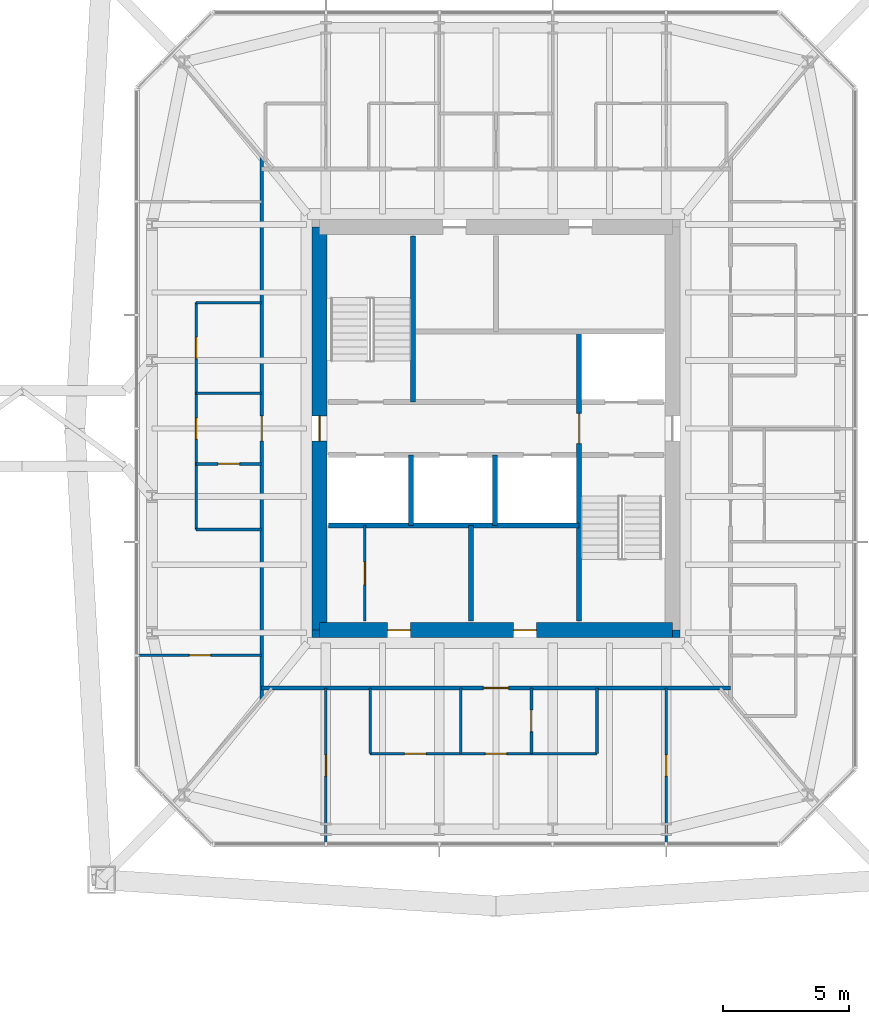
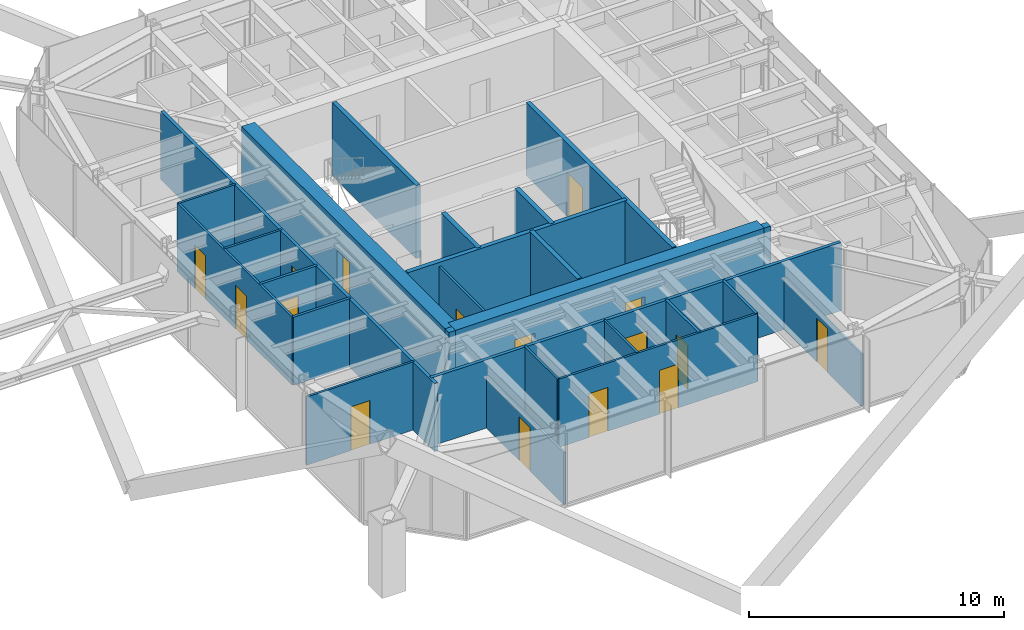
# One storey, part 19 of 27: 26 walls, 16 doors, 16 openings.
"""IFC4 building model written with IfcOpenShell, lengths in metres."""

from ifc_helpers import new_model, si_unit, direction, frame, frame_2d, origin, place, context, subcontext, project, spatial, rectangle, extrude, material, layer, layer_set, type_object, element, fill, save


model = new_model("IFC4")

# Units and contexts
model_context = context("Model", 3, precision=1e-05, world=origin(), true_north=direction((0.0, 1.0)))
body_context = subcontext(model_context, "Body", "Model", "MODEL_VIEW")
ifc_project = project(units=[si_unit("LENGTHUNIT", "METRE"), si_unit("AREAUNIT", "SQUARE_METRE"), si_unit("VOLUMEUNIT", "CUBIC_METRE"), si_unit("PLANEANGLEUNIT", "RADIAN"), si_unit("MASSUNIT", "GRAM", prefix="KILO")], contexts=[model_context])

# Site, building, storey
site_placement = place(None, origin())
site = spatial("IfcSite", under=ifc_project, at=site_placement, CompositionType="ELEMENT")
building_placement = place(site_placement, origin())
building = spatial("IfcBuilding", under=site, at=building_placement, Name="Iwan Alto Co-Living Towers", CompositionType="ELEMENT")
storey_placement = place(building_placement, frame((0.0, 0.0, 94.5)))
storey = spatial("IfcBuildingStorey", under=building, at=storey_placement, Name="L25", CompositionType="ELEMENT", Elevation=94.5)

# Wall, opening, door
ifc_material_1 = material(Name="Gypsum board")
ifc_layer_1 = layer(ifc_material_1, 0.02490234375, Name="Board", Category="Finish")
ifc_material_2 = material(Name="Steel ASTM A1003 ST33H cold-formed studs", Category="steel")
ifc_layer_2 = layer(ifc_material_2, 0.10009765625, Name="Studs", Category="Framing")
ifc_layer_3 = layer(ifc_material_1, 0.02490234375, Name="Board", Category="Finish")
ifc_layer_set_1 = layer_set([ifc_layer_1, ifc_layer_2, ifc_layer_3], Name="CORRIDOR WALL 150")
wall_type_1 = type_object("IfcWallType", Name="CORRIDOR WALL 150", PredefinedType="PARTITIONING", material=ifc_layer_set_1)
wall_1_placement = place(storey_placement, frame((53.699951171875, -10.300048828125, 0.0), z_axis=(0.0, 0.0, 1.0), x_axis=(1.0, 0.0, 0.0)))
wall_1 = element("IfcWall", 1, at=wall_1_placement, inside=storey, type_object=wall_type_1, Name="Partition L25", PredefinedType="PARTITIONING", context=body_context, shape_type="SweptSolid", body=[
    extrude(rectangle(XDim=18.60009765625, YDim=0.14990234375, at=frame_2d((9.300048828125, 0.0))), origin(), (0.0, 0.0, 1.0), 3.27001953125),
])
opening_1_placement = place(wall_1_placement, frame((8.800048828125, 0.0, 0.0)))
opening_1 = element("IfcOpeningElement", 2, at=opening_1_placement, cuts=wall_1, Name="Opening D3", PredefinedType="OPENING", context=body_context, shape_type="SweptSolid", body=[
    extrude(rectangle(XDim=1.0, YDim=2.10009765625, at=frame_2d((0.5, 1.050048828125))), frame((0.0, 0.0849609375, 0.0), z_axis=(0.0, -1.0, 0.0), x_axis=(1.0, 0.0, 0.0)), (0.0, 0.0, 1.0), 0.169921875),
])
ifc_material_3 = material(Name="Steel frame with timber leaf", Category="steel")
door_type_1 = type_object("IfcDoorType", Name="FLAT ENTRANCE DOOR FD30S 1000X2100", OperationType="SINGLE_SWING_LEFT", PredefinedType="DOOR", material=ifc_material_3)
door_1_placement = place(opening_1_placement, frame((1.0, 0.0, 0.0), z_axis=(0.0, 0.0, 1.0), x_axis=(-1.0, 0.0, 0.0)))
door_1 = element("IfcDoor", 3, at=door_1_placement, inside=storey, type_object=door_type_1, Name="Apartment foyer door L25", OperationType="SINGLE_SWING_RIGHT", OverallHeight=2.10009765625, OverallWidth=1.0, PredefinedType="DOOR", context=body_context, shape_type="SweptSolid", body=[
    extrude(rectangle(XDim=1.0, YDim=2.10009765625, at=frame_2d((0.5, 1.050048828125))), frame((0.0, 0.02490234375, 0.0), z_axis=(0.0, -1.0, 0.0), x_axis=(1.0, 0.0, 0.0)), (0.0, 0.0, 1.0), 0.050048828125),
])
fill(opening_1, door_1)

wall_2_placement = place(storey_placement, frame((53.699951171875, -10.76806640625, 0.0), z_axis=(0.0, 0.0, 1.0), x_axis=(0.0, 1.0, 0.0)))
wall_2 = element("IfcWall", 4, at=wall_2_placement, inside=storey, type_object=wall_type_1, Name="Partition L25", PredefinedType="PARTITIONING", context=body_context, shape_type="SweptSolid", body=[
    extrude(rectangle(XDim=21.5361328125, YDim=0.14990234375, at=frame_2d((10.76806640625, 0.0))), origin(), (0.0, 0.0, 1.0), 3.27001953125),
])
opening_2_placement = place(wall_2_placement, frame((10.26806640625, 0.0, 0.0)))
opening_2 = element("IfcOpeningElement", 5, at=opening_2_placement, cuts=wall_2, Name="Opening D3", PredefinedType="OPENING", context=body_context, shape_type="SweptSolid", body=[
    extrude(rectangle(XDim=1.0, YDim=2.10009765625, at=frame_2d((0.5, 1.050048828125))), frame((0.0, 0.0849609375, 0.0), z_axis=(0.0, -1.0, 0.0), x_axis=(1.0, 0.0, 0.0)), (0.0, 0.0, 1.0), 0.169921875),
])
door_2_placement = place(opening_2_placement, origin())
door_2 = element("IfcDoor", 6, at=door_2_placement, inside=storey, type_object=door_type_1, Name="Apartment foyer door L25", OperationType="SINGLE_SWING_LEFT", OverallHeight=2.10009765625, OverallWidth=1.0, PredefinedType="DOOR", context=body_context, shape_type="SweptSolid", body=[
    extrude(rectangle(XDim=1.0, YDim=2.10009765625, at=frame_2d((0.5, 1.050048828125))), frame((0.0, 0.02490234375, 0.0), z_axis=(0.0, -1.0, 0.0), x_axis=(1.0, 0.0, 0.0)), (0.0, 0.0, 1.0), 0.050048828125),
])
fill(opening_2, door_2)

# Wall, openings, doors
ifc_layer_4 = layer(ifc_material_1, 0.012451171875, Name="Board", Category="Finish")
ifc_layer_5 = layer(ifc_material_2, 0.074951171875, Name="Studs", Category="Framing")
ifc_layer_6 = layer(ifc_material_1, 0.012451171875, Name="Board", Category="Finish")
ifc_layer_set_2 = layer_set([ifc_layer_4, ifc_layer_5, ifc_layer_6], Name="PARTITION 100")
wall_type_2 = type_object("IfcWallType", Name="PARTITION 100", PredefinedType="PARTITIONING", material=ifc_layer_set_2)
wall_3_placement = place(storey_placement, frame((58.0, -12.89990234375, 0.0), z_axis=(0.0, 0.0, 1.0), x_axis=(1.0, 0.0, 0.0)))
wall_3 = element("IfcWall", 7, at=wall_3_placement, inside=storey, type_object=wall_type_2, Name="Partition L25", PredefinedType="PARTITIONING", context=body_context, shape_type="SweptSolid", body=[
    extrude(rectangle(XDim=9.0, YDim=0.10009765625, at=frame_2d((4.5, 0.0))), origin(), (0.0, 0.0, 1.0), 3.27001953125),
])
opening_3_placement = place(wall_3_placement, frame((1.375, 0.0, 0.0)))
opening_3 = element("IfcOpeningElement", 8, at=opening_3_placement, cuts=wall_3, Name="Opening D2", PredefinedType="OPENING", context=body_context, shape_type="SweptSolid", body=[
    extrude(rectangle(XDim=0.85009765625, YDim=2.10009765625, at=frame_2d((0.425048828125, 1.050048828125))), frame((0.0, 0.06005859375, 0.0), z_axis=(0.0, -1.0, 0.0), x_axis=(1.0, 0.0, 0.0)), (0.0, 0.0, 1.0), 0.1201171875),
])
opening_4_placement = place(wall_3_placement, frame((4.574951171875, 0.0, 0.0)))
opening_4 = element("IfcOpeningElement", 9, at=opening_4_placement, cuts=wall_3, Name="Opening D2", PredefinedType="OPENING", context=body_context, shape_type="SweptSolid", body=[
    extrude(rectangle(XDim=0.85009765625, YDim=2.10009765625, at=frame_2d((0.425048828125, 1.050048828125))), frame((0.0, 0.06005859375, 0.0), z_axis=(0.0, -1.0, 0.0), x_axis=(1.0, 0.0, 0.0)), (0.0, 0.0, 1.0), 0.1201171875),
])
ifc_material_4 = material(Name="Timber leaf in steel frame", Category="steel")
door_type_2 = type_object("IfcDoorType", Name="ROOM DOOR 850X2100", OperationType="SINGLE_SWING_LEFT", PredefinedType="DOOR", material=ifc_material_4)
door_3_placement = place(opening_3_placement, frame((0.85009765625, 0.0, 0.0), z_axis=(0.0, 0.0, 1.0), x_axis=(-1.0, 0.0, 0.0)))
door_3 = element("IfcDoor", 10, at=door_3_placement, inside=storey, type_object=door_type_2, Name="Kitchen door L25", OperationType="SINGLE_SWING_RIGHT", OverallHeight=2.10009765625, OverallWidth=0.85009765625, PredefinedType="DOOR", context=body_context, shape_type="SweptSolid", body=[
    extrude(rectangle(XDim=0.85009765625, YDim=2.10009765625, at=frame_2d((0.425048828125, 1.050048828125))), frame((0.0, 0.02490234375, 0.0), z_axis=(0.0, -1.0, 0.0), x_axis=(1.0, 0.0, 0.0)), (0.0, 0.0, 1.0), 0.050048828125),
])
fill(opening_3, door_3)
door_4_placement = place(opening_4_placement, frame((0.85009765625, 0.0, 0.0), z_axis=(0.0, 0.0, 1.0), x_axis=(-1.0, 0.0, 0.0)))
door_4 = element("IfcDoor", 11, at=door_4_placement, inside=storey, type_object=door_type_2, Name="Apartment foyer door L25", OperationType="SINGLE_SWING_RIGHT", OverallHeight=2.10009765625, OverallWidth=0.85009765625, PredefinedType="DOOR", context=body_context, shape_type="SweptSolid", body=[
    extrude(rectangle(XDim=0.85009765625, YDim=2.10009765625, at=frame_2d((0.425048828125, 1.050048828125))), frame((0.0, 0.02490234375, 0.0), z_axis=(0.0, -1.0, 0.0), x_axis=(1.0, 0.0, 0.0)), (0.0, 0.0, 1.0), 0.050048828125),
])
fill(opening_4, door_4)

# Wall, opening, door
wall_4_placement = place(storey_placement, frame((48.81005859375, -9.0, 0.0), z_axis=(0.0, 0.0, 1.0), x_axis=(1.0, 0.0, 0.0)))
wall_4 = element("IfcWall", 12, at=wall_4_placement, inside=storey, type_object=wall_type_2, Name="Partition L25", PredefinedType="PARTITIONING", context=body_context, shape_type="SweptSolid", body=[
    extrude(rectangle(XDim=4.889892578125, YDim=0.10009765625, at=frame_2d((2.44482421875, 0.0))), origin(), (0.0, 0.0, 1.0), 3.27001953125),
])
opening_5_placement = place(wall_4_placement, frame((2.02001953125, 0.0, 0.0)))
opening_5 = element("IfcOpeningElement", 13, at=opening_5_placement, cuts=wall_4, Name="Opening D2", PredefinedType="OPENING", context=body_context, shape_type="SweptSolid", body=[
    extrude(rectangle(XDim=0.85009765625, YDim=2.10009765625, at=frame_2d((0.425048828125, 1.050048828125))), frame((0.0, 0.06005859375, 0.0), z_axis=(0.0, -1.0, 0.0), x_axis=(1.0, 0.0, 0.0)), (0.0, 0.0, 1.0), 0.1201171875),
])
door_5_placement = place(opening_5_placement, origin())
door_5 = element("IfcDoor", 14, at=door_5_placement, inside=storey, type_object=door_type_2, Name="Bedroom door L25", OperationType="SINGLE_SWING_RIGHT", OverallHeight=2.10009765625, OverallWidth=0.85009765625, PredefinedType="DOOR", context=body_context, shape_type="SweptSolid", body=[
    extrude(rectangle(XDim=0.85009765625, YDim=2.10009765625, at=frame_2d((0.425048828125, 1.050048828125))), frame((0.0, 0.02490234375, 0.0), z_axis=(0.0, -1.0, 0.0), x_axis=(1.0, 0.0, 0.0)), (0.0, 0.0, 1.0), 0.050048828125),
])
fill(opening_5, door_5)

# Walls
for number, where, z_axis, x_axis, name in (
    (15, (51.10009765625, 1.39990234375, 0.0), (0.0, 0.0, 1.0), (1.0, 0.0, 0.0), "Partition L25"),
    (16, (51.10009765625, 5.0, 0.0), (0.0, 0.0, 1.0), (1.0, 0.0, 0.0), "Partition L25"),
):
    element("IfcWall", number, at=place(storey_placement, frame(where, z_axis=z_axis, x_axis=x_axis)), inside=storey, type_object=wall_type_2, Name=name, PredefinedType="PARTITIONING", context=body_context, shape_type="SweptSolid", body=[
        extrude(rectangle(XDim=2.599853515625, YDim=0.10009765625, at=frame_2d((1.2998046875, 0.0))), origin(), (0.0, 0.0, 1.0), 3.27001953125),
    ])

# Wall, opening, door
wall_5_placement = place(storey_placement, frame((69.75, -16.43994140625, 0.0), z_axis=(0.0, 0.0, 1.0), x_axis=(0.0, 1.0, 0.0)))
wall_5 = element("IfcWall", 17, at=wall_5_placement, inside=storey, type_object=wall_type_2, Name="Partition L25", PredefinedType="PARTITIONING", context=body_context, shape_type="SweptSolid", body=[
    extrude(rectangle(XDim=6.139892578125, YDim=0.10009765625, at=frame_2d((3.06982421875, 0.0))), origin(), (0.0, 0.0, 1.0), 2.497802734375),
])
opening_6_placement = place(wall_5_placement, frame((2.64501953125, 0.0, 0.0)))
opening_6 = element("IfcOpeningElement", 18, at=opening_6_placement, cuts=wall_5, Name="Opening D2", PredefinedType="OPENING", context=body_context, shape_type="SweptSolid", body=[
    extrude(rectangle(XDim=0.85009765625, YDim=2.10009765625, at=frame_2d((0.425048828125, 1.050048828125))), frame((0.0, 0.06005859375, 0.0), z_axis=(0.0, -1.0, 0.0), x_axis=(1.0, 0.0, 0.0)), (0.0, 0.0, 1.0), 0.1201171875),
])
door_6_placement = place(opening_6_placement, origin())
door_6 = element("IfcDoor", 19, at=door_6_placement, inside=storey, type_object=door_type_2, Name="Bedroom door L25", OperationType="SINGLE_SWING_RIGHT", OverallHeight=2.10009765625, OverallWidth=0.85009765625, PredefinedType="DOOR", context=body_context, shape_type="SweptSolid", body=[
    extrude(rectangle(XDim=0.85009765625, YDim=2.10009765625, at=frame_2d((0.425048828125, 1.050048828125))), frame((0.0, 0.02490234375, 0.0), z_axis=(0.0, -1.0, 0.0), x_axis=(1.0, 0.0, 0.0)), (0.0, 0.0, 1.0), 0.050048828125),
])
fill(opening_6, door_6)

# Walls
for number, where, z_axis, x_axis, name in (
    (20, (61.60009765625, -12.89990234375, 0.0), (0.0, 0.0, 1.0), (0.0, 1.0, 0.0), "Partition L25"),
    (21, (58.0, -12.89990234375, 0.0), (0.0, 0.0, 1.0), (0.0, 1.0, 0.0), "Partition L25"),
):
    element("IfcWall", number, at=place(storey_placement, frame(where, z_axis=z_axis, x_axis=x_axis)), inside=storey, type_object=wall_type_2, Name=name, PredefinedType="PARTITIONING", context=body_context, shape_type="SweptSolid", body=[
        extrude(rectangle(XDim=2.599853515625, YDim=0.10009765625, at=frame_2d((1.2998046875, 0.0))), origin(), (0.0, 0.0, 1.0), 3.27001953125),
    ])

# Wall, opening, door
wall_6_placement = place(storey_placement, frame((57.800048828125, -7.639892578125, 0.0), z_axis=(0.0, 0.0, 1.0), x_axis=(0.0, 1.0, 0.0)))
wall_6 = element("IfcWall", 22, at=wall_6_placement, inside=storey, type_object=wall_type_2, Name="Partition L25", PredefinedType="PARTITIONING", context=body_context, shape_type="SweptSolid", body=[
    extrude(rectangle(XDim=3.789794921875, YDim=0.10009765625, at=frame_2d((1.89501953125, 0.0))), origin(), (0.0, 0.0, 1.0), 3.300048828125),
])
opening_7_placement = place(wall_6_placement, frame((1.445068359375, 0.0, 0.0)))
opening_7 = element("IfcOpeningElement", 23, at=opening_7_placement, cuts=wall_6, Name="Opening D16", PredefinedType="OPENING", context=body_context, shape_type="SweptSolid", body=[
    extrude(rectangle(XDim=0.89990234375, YDim=2.10009765625, at=frame_2d((0.449951171875, 1.050048828125))), frame((0.0, 0.06005859375, 0.0), z_axis=(0.0, -1.0, 0.0), x_axis=(1.0, 0.0, 0.0)), (0.0, 0.0, 1.0), 0.1201171875),
])
ifc_material_5 = material(Name="Timber leaf in steel frame", Category="steel")
door_type_3 = type_object("IfcDoorType", Name="CUPBOARD SLIDING DOOR 900X2100", OperationType="SLIDING_TO_LEFT", PredefinedType="DOOR", material=ifc_material_5)
door_7_placement = place(opening_7_placement, origin())
door_7 = element("IfcDoor", 24, at=door_7_placement, inside=storey, type_object=door_type_3, Name="Bin store door L25", OperationType="SLIDING_TO_LEFT", OverallHeight=2.10009765625, OverallWidth=0.89990234375, PredefinedType="DOOR", context=body_context, shape_type="SweptSolid", body=[
    extrude(rectangle(XDim=0.89990234375, YDim=2.10009765625, at=frame_2d((0.449951171875, 1.050048828125))), frame((0.0, 0.02490234375, 0.0), z_axis=(0.0, -1.0, 0.0), x_axis=(1.0, 0.0, 0.0)), (0.0, 0.0, 1.0), 0.050048828125),
])
fill(opening_7, door_7)

wall_7_placement = place(storey_placement, frame((56.25, -16.43994140625, 0.0), z_axis=(0.0, 0.0, 1.0), x_axis=(0.0, 1.0, 0.0)))
wall_7 = element("IfcWall", 25, at=wall_7_placement, inside=storey, type_object=wall_type_2, Name="Partition L25", PredefinedType="PARTITIONING", context=body_context, shape_type="SweptSolid", body=[
    extrude(rectangle(XDim=6.139892578125, YDim=0.10009765625, at=frame_2d((3.06982421875, 0.0))), origin(), (0.0, 0.0, 1.0), 2.497802734375),
])
opening_8_placement = place(wall_7_placement, frame((2.64501953125, 0.0, 0.0)))
opening_8 = element("IfcOpeningElement", 26, at=opening_8_placement, cuts=wall_7, Name="Opening D2", PredefinedType="OPENING", context=body_context, shape_type="SweptSolid", body=[
    extrude(rectangle(XDim=0.85009765625, YDim=2.10009765625, at=frame_2d((0.425048828125, 1.050048828125))), frame((0.0, 0.06005859375, 0.0), z_axis=(0.0, -1.0, 0.0), x_axis=(1.0, 0.0, 0.0)), (0.0, 0.0, 1.0), 0.1201171875),
])
door_8_placement = place(opening_8_placement, frame((0.85009765625, 0.0, 0.0), z_axis=(0.0, 0.0, 1.0), x_axis=(-1.0, 0.0, 0.0)))
door_8 = element("IfcDoor", 27, at=door_8_placement, inside=storey, type_object=door_type_2, Name="Bedroom door L25", OperationType="SINGLE_SWING_LEFT", OverallHeight=2.10009765625, OverallWidth=0.85009765625, PredefinedType="DOOR", context=body_context, shape_type="SweptSolid", body=[
    extrude(rectangle(XDim=0.85009765625, YDim=2.10009765625, at=frame_2d((0.425048828125, 1.050048828125))), frame((0.0, 0.02490234375, 0.0), z_axis=(0.0, -1.0, 0.0), x_axis=(1.0, 0.0, 0.0)), (0.0, 0.0, 1.0), 0.050048828125),
])
fill(opening_8, door_8)

# Wall, openings, doors
wall_8_placement = place(storey_placement, frame((51.10009765625, -4.0, 0.0), z_axis=(0.0, 0.0, 1.0), x_axis=(0.0, 1.0, 0.0)))
wall_8 = element("IfcWall", 28, at=wall_8_placement, inside=storey, type_object=wall_type_2, Name="Partition L25", PredefinedType="PARTITIONING", context=body_context, shape_type="SweptSolid", body=[
    extrude(rectangle(XDim=9.0, YDim=0.10009765625, at=frame_2d((4.5, 0.0))), origin(), (0.0, 0.0, 1.0), 3.27001953125),
])
opening_9_placement = place(wall_8_placement, frame((6.77490234375, 0.0, 0.0)))
opening_9 = element("IfcOpeningElement", 29, at=opening_9_placement, cuts=wall_8, Name="Opening D2", PredefinedType="OPENING", context=body_context, shape_type="SweptSolid", body=[
    extrude(rectangle(XDim=0.85009765625, YDim=2.10009765625, at=frame_2d((0.425048828125, 1.050048828125))), frame((0.0, 0.06005859375, 0.0), z_axis=(0.0, -1.0, 0.0), x_axis=(1.0, 0.0, 0.0)), (0.0, 0.0, 1.0), 0.1201171875),
])
opening_10_placement = place(wall_8_placement, frame((3.574951171875, 0.0, 0.0)))
opening_10 = element("IfcOpeningElement", 30, at=opening_10_placement, cuts=wall_8, Name="Opening D2", PredefinedType="OPENING", context=body_context, shape_type="SweptSolid", body=[
    extrude(rectangle(XDim=0.85009765625, YDim=2.10009765625, at=frame_2d((0.425048828125, 1.050048828125))), frame((0.0, 0.06005859375, 0.0), z_axis=(0.0, -1.0, 0.0), x_axis=(1.0, 0.0, 0.0)), (0.0, 0.0, 1.0), 0.1201171875),
])
door_9_placement = place(opening_9_placement, origin())
door_9 = element("IfcDoor", 31, at=door_9_placement, inside=storey, type_object=door_type_2, Name="Kitchen door L25", OperationType="SINGLE_SWING_RIGHT", OverallHeight=2.10009765625, OverallWidth=0.85009765625, PredefinedType="DOOR", context=body_context, shape_type="SweptSolid", body=[
    extrude(rectangle(XDim=0.85009765625, YDim=2.10009765625, at=frame_2d((0.425048828125, 1.050048828125))), frame((0.0, 0.02490234375, 0.0), z_axis=(0.0, -1.0, 0.0), x_axis=(1.0, 0.0, 0.0)), (0.0, 0.0, 1.0), 0.050048828125),
])
fill(opening_9, door_9)
door_10_placement = place(opening_10_placement, origin())
door_10 = element("IfcDoor", 32, at=door_10_placement, inside=storey, type_object=door_type_2, Name="Apartment foyer door L25", OperationType="SINGLE_SWING_LEFT", OverallHeight=2.10009765625, OverallWidth=0.85009765625, PredefinedType="DOOR", context=body_context, shape_type="SweptSolid", body=[
    extrude(rectangle(XDim=0.85009765625, YDim=2.10009765625, at=frame_2d((0.425048828125, 1.050048828125))), frame((0.0, 0.02490234375, 0.0), z_axis=(0.0, -1.0, 0.0), x_axis=(1.0, 0.0, 0.0)), (0.0, 0.0, 1.0), 0.050048828125),
])
fill(opening_10, door_10)

# Wall
ifc_material_6 = material(Name="Concrete f'c 70 MPa", Category="concrete")
ifc_layer_7 = layer(ifc_material_6, 0.199951171875)
ifc_layer_set_3 = layer_set([ifc_layer_7], Name="SHAFT WALL 200")
wall_type_3 = type_object("IfcWallType", Name="SHAFT WALL 200", PredefinedType="SOLIDWALL", material=ifc_layer_set_3)
wall_9_placement = place(storey_placement, frame((56.360107421875, -3.85009765625, 0.0), z_axis=(0.0, 0.0, 1.0), x_axis=(1.0, 0.0, 0.0)))
element("IfcWall", 33, at=wall_9_placement, inside=storey, type_object=wall_type_3, Name="Shaft wall L25", PredefinedType="SOLIDWALL", context=body_context, shape_type="SweptSolid", body=[
    extrude(rectangle(XDim=9.93994140625, YDim=0.199951171875, at=frame_2d((4.969970703125, 0.0))), origin(), (0.0, 0.0, 1.0), 3.5),
])

# Wall, opening, door
wall_10_placement = place(storey_placement, frame((66.300048828125, -7.639892578125, 0.0), z_axis=(0.0, 0.0, 1.0), x_axis=(0.0, 1.0, 0.0)))
wall_10 = element("IfcWall", 34, at=wall_10_placement, inside=storey, type_object=wall_type_3, Name="Shaft wall L25", PredefinedType="SOLIDWALL", context=body_context, shape_type="SweptSolid", body=[
    extrude(rectangle(XDim=11.489990234375, YDim=0.199951171875, at=frame_2d((5.7451171875, 0.0))), origin(), (0.0, 0.0, 1.0), 3.5),
])
opening_11_placement = place(wall_10_placement, frame((7.0400390625, 0.0, 0.0)))
opening_11 = element("IfcOpeningElement", 35, at=opening_11_placement, cuts=wall_10, Name="Opening D6", PredefinedType="OPENING", context=body_context, shape_type="SweptSolid", body=[
    extrude(rectangle(XDim=1.199951171875, YDim=2.10009765625, at=frame_2d((0.60009765625, 1.050048828125))), frame((0.0, 0.10986328125, 0.0), z_axis=(0.0, -1.0, 0.0), x_axis=(1.0, 0.0, 0.0)), (0.0, 0.0, 1.0), 0.219970703125),
])
ifc_material_7 = material(Name="Steel frame with timber leaf", Category="steel")
door_type_4 = type_object("IfcDoorType", Name="LOBBY DOOR FD120S 1200X2100", OperationType="SINGLE_SWING_LEFT", PredefinedType="DOOR", material=ifc_material_7)
door_11_placement = place(opening_11_placement, frame((1.199951171875, 0.0, 0.0), z_axis=(0.0, 0.0, 1.0), x_axis=(-1.0, 0.0, 0.0)))
door_11 = element("IfcDoor", 36, at=door_11_placement, inside=storey, type_object=door_type_4, Name="Firefighting lobby door L25", OperationType="SINGLE_SWING_RIGHT", OverallHeight=2.10009765625, OverallWidth=1.199951171875, PredefinedType="DOOR", context=body_context, shape_type="SweptSolid", body=[
    extrude(rectangle(XDim=1.199951171875, YDim=2.10009765625, at=frame_2d((0.60009765625, 1.050048828125))), frame((0.0, 0.02490234375, 0.0), z_axis=(0.0, -1.0, 0.0), x_axis=(1.0, 0.0, 0.0)), (0.0, 0.0, 1.0), 0.050048828125),
])
fill(opening_11, door_11)

# Walls
wall_11_placement = place(storey_placement, frame((62.967041015625, -3.85009765625, 0.0), z_axis=(0.0, 0.0, 1.0), x_axis=(0.0, 1.0, 0.0)))
element("IfcWall", 37, at=wall_11_placement, inside=storey, type_object=wall_type_3, Name="Shaft wall L25", PredefinedType="SOLIDWALL", context=body_context, shape_type="SweptSolid", body=[
    extrude(rectangle(XDim=2.800048828125, YDim=0.199951171875, at=frame_2d((1.39990234375, 0.0))), origin(), (0.0, 0.0, 1.0), 3.5),
])
wall_12_placement = place(storey_placement, frame((62.0, -7.639892578125, 0.0), z_axis=(0.0, 0.0, 1.0), x_axis=(0.0, 1.0, 0.0)))
element("IfcWall", 38, at=wall_12_placement, inside=storey, type_object=wall_type_3, Name="Shaft wall L25", PredefinedType="SOLIDWALL", context=body_context, shape_type="SweptSolid", body=[
    extrude(rectangle(XDim=3.789794921875, YDim=0.199951171875, at=frame_2d((1.89501953125, 0.0))), origin(), (0.0, 0.0, 1.0), 3.5),
])
wall_13_placement = place(storey_placement, frame((59.699951171875, 1.050048828125, 0.0), z_axis=(0.0, 0.0, 1.0), x_axis=(0.0, 1.0, 0.0)))
element("IfcWall", 39, at=wall_13_placement, inside=storey, type_object=wall_type_3, Name="Shaft wall L25", PredefinedType="SOLIDWALL", context=body_context, shape_type="SweptSolid", body=[
    extrude(rectangle(XDim=6.58984375, YDim=0.199951171875, at=frame_2d((3.294921875, 0.0))), origin(), (0.0, 0.0, 1.0), 3.5),
])
wall_14_placement = place(storey_placement, frame((59.633056640625, -3.85009765625, 0.0), z_axis=(0.0, 0.0, 1.0), x_axis=(0.0, 1.0, 0.0)))
element("IfcWall", 40, at=wall_14_placement, inside=storey, type_object=wall_type_3, Name="Shaft wall L25", PredefinedType="SOLIDWALL", context=body_context, shape_type="SweptSolid", body=[
    extrude(rectangle(XDim=2.800048828125, YDim=0.199951171875, at=frame_2d((1.39990234375, 0.0))), origin(), (0.0, 0.0, 1.0), 3.5),
])
ifc_material_8 = material(Name="Concrete f'c 70 MPa", Category="concrete")
ifc_layer_8 = layer(ifc_material_8, 0.300048828125)
ifc_layer_set_4 = layer_set([ifc_layer_8], Name="T2 CORE CORNER FILL 300")
wall_type_4 = type_object("IfcWallType", Name="T2 CORE CORNER FILL 300", PredefinedType="SOLIDWALL", material=ifc_layer_set_4)
for number, where, z_axis, x_axis, name in (
    (41, (55.699951171875, -8.14990234375, 0.0), (0.0, 0.0, 1.0), (1.0, 0.0, 0.0), "T2 core corner SW L25"),
    (42, (70.0, -8.14990234375, 0.0), (0.0, 0.0, 1.0), (1.0, 0.0, 0.0), "T2 core corner SE L25"),
):
    element("IfcWall", number, at=place(storey_placement, frame(where, z_axis=z_axis, x_axis=x_axis)), inside=storey, type_object=wall_type_4, Name=name, PredefinedType="SOLIDWALL", context=body_context, shape_type="SweptSolid", body=[
        extrude(rectangle(XDim=0.300048828125, YDim=0.300048828125, at=frame_2d((0.14990234375, 0.0))), origin(), (0.0, 0.0, 1.0), 3.5),
    ])

# Wall, openings, doors
ifc_material_9 = material(Name="Concrete f'c 70 MPa", Category="concrete")
ifc_layer_9 = layer(ifc_material_9, 0.60009765625)
ifc_layer_set_5 = layer_set([ifc_layer_9], Name="T2 CORE WALL 600")
wall_type_5 = type_object("IfcWallType", Name="T2 CORE WALL 600", PredefinedType="SHEAR", material=ifc_layer_set_5)
wall_15_placement = place(storey_placement, frame((56.0, -8.0, 0.0), z_axis=(0.0, 0.0, 1.0), x_axis=(1.0, 0.0, 0.0)))
wall_15 = element("IfcWall", 43, at=wall_15_placement, inside=storey, type_object=wall_type_5, Name="T2 core wall S L25", PredefinedType="SHEAR", context=body_context, shape_type="SweptSolid", body=[
    extrude(rectangle(XDim=14.0, YDim=0.60009765625, at=frame_2d((7.0, 0.0))), origin(), (0.0, 0.0, 1.0), 3.5),
])
opening_12_placement = place(wall_15_placement, frame((2.699951171875, 0.0, 0.0)))
opening_12 = element("IfcOpeningElement", 44, at=opening_12_placement, cuts=wall_15, Name="Opening D8", PredefinedType="OPENING", context=body_context, shape_type="SweptSolid", body=[
    extrude(rectangle(XDim=0.89990234375, YDim=2.10009765625, at=frame_2d((0.449951171875, 1.050048828125))), frame((0.0, 0.31005859375, 0.0), z_axis=(0.0, -1.0, 0.0), x_axis=(1.0, 0.0, 0.0)), (0.0, 0.0, 1.0), 0.6201171875),
])
opening_13_placement = place(wall_15_placement, frame((7.699951171875, 0.0, 0.0)))
opening_13 = element("IfcOpeningElement", 45, at=opening_13_placement, cuts=wall_15, Name="Opening D8", PredefinedType="OPENING", context=body_context, shape_type="SweptSolid", body=[
    extrude(rectangle(XDim=0.89990234375, YDim=2.10009765625, at=frame_2d((0.449951171875, 1.050048828125))), frame((0.0, 0.31005859375, 0.0), z_axis=(0.0, -1.0, 0.0), x_axis=(1.0, 0.0, 0.0)), (0.0, 0.0, 1.0), 0.6201171875),
])
ifc_material_10 = material(Name="Steel frame with timber leaf", Category="steel")
door_type_5 = type_object("IfcDoorType", Name="RISER DOOR FD120 900X2100", OperationType="SINGLE_SWING_LEFT", PredefinedType="DOOR", material=ifc_material_10)
door_12_placement = place(opening_12_placement, origin())
door_12 = element("IfcDoor", 46, at=door_12_placement, inside=storey, type_object=door_type_5, Name="Refuse room core door L25", OperationType="SINGLE_SWING_LEFT", OverallHeight=2.10009765625, OverallWidth=0.89990234375, PredefinedType="DOOR", context=body_context, shape_type="SweptSolid", body=[
    extrude(rectangle(XDim=0.89990234375, YDim=2.10009765625, at=frame_2d((0.449951171875, 1.050048828125))), frame((0.0, 0.02490234375, 0.0), z_axis=(0.0, -1.0, 0.0), x_axis=(1.0, 0.0, 0.0)), (0.0, 0.0, 1.0), 0.050048828125),
])
fill(opening_12, door_12)
door_13_placement = place(opening_13_placement, origin())
door_13 = element("IfcDoor", 47, at=door_13_placement, inside=storey, type_object=door_type_5, Name="Telecom riser core door L25", OperationType="SINGLE_SWING_LEFT", OverallHeight=2.10009765625, OverallWidth=0.89990234375, PredefinedType="DOOR", context=body_context, shape_type="SweptSolid", body=[
    extrude(rectangle(XDim=0.89990234375, YDim=2.10009765625, at=frame_2d((0.449951171875, 1.050048828125))), frame((0.0, 0.02490234375, 0.0), z_axis=(0.0, -1.0, 0.0), x_axis=(1.0, 0.0, 0.0)), (0.0, 0.0, 1.0), 0.050048828125),
])
fill(opening_13, door_13)

# Wall, opening, door
wall_16_placement = place(storey_placement, frame((56.0, 8.0, 0.0), z_axis=(0.0, 0.0, 1.0), x_axis=(0.0, -1.0, 0.0)))
wall_16 = element("IfcWall", 48, at=wall_16_placement, inside=storey, type_object=wall_type_5, Name="T2 core wall W L25", PredefinedType="SHEAR", context=body_context, shape_type="SweptSolid", body=[
    extrude(rectangle(XDim=16.0, YDim=0.60009765625, at=frame_2d((8.0, 0.0))), origin(), (0.0, 0.0, 1.0), 3.5),
])
opening_14_placement = place(wall_16_placement, frame((7.5, 0.0, 0.0)))
opening_14 = element("IfcOpeningElement", 49, at=opening_14_placement, cuts=wall_16, Name="Opening D7", PredefinedType="OPENING", context=body_context, shape_type="SweptSolid", body=[
    extrude(rectangle(XDim=1.0, YDim=2.10009765625, at=frame_2d((0.5, 1.050048828125))), frame((0.0, 0.31005859375, 0.0), z_axis=(0.0, -1.0, 0.0), x_axis=(1.0, 0.0, 0.0)), (0.0, 0.0, 1.0), 0.6201171875),
])
ifc_material_11 = material(Name="Steel frame with timber leaf", Category="steel")
door_type_6 = type_object("IfcDoorType", Name="CORE DOOR FD120S 1000X2100", OperationType="SINGLE_SWING_LEFT", PredefinedType="DOOR", material=ifc_material_11)
door_14_placement = place(opening_14_placement, origin())
door_14 = element("IfcDoor", 50, at=door_14_placement, inside=storey, type_object=door_type_6, Name="Lift lobby core door L25", OperationType="SINGLE_SWING_RIGHT", OverallHeight=2.10009765625, OverallWidth=1.0, PredefinedType="DOOR", context=body_context, shape_type="SweptSolid", body=[
    extrude(rectangle(XDim=1.0, YDim=2.10009765625, at=frame_2d((0.5, 1.050048828125))), frame((0.0, 0.02490234375, 0.0), z_axis=(0.0, -1.0, 0.0), x_axis=(1.0, 0.0, 0.0)), (0.0, 0.0, 1.0), 0.050048828125),
])
fill(opening_14, door_14)

# Wall
ifc_material_12 = material(Name="Cement board")
ifc_layer_10 = layer(ifc_material_12, 0.012451171875, Name="Board", Category="Finish")
ifc_layer_11 = layer(ifc_material_2, 0.094970703125, Name="Studs", Category="Framing")
ifc_layer_12 = layer(ifc_material_12, 0.012451171875, Name="Board", Category="Finish")
ifc_layer_set_6 = layer_set([ifc_layer_10, ifc_layer_11, ifc_layer_12], Name="WET AREA PARTITION 120")
wall_type_6 = type_object("IfcWallType", Name="WET AREA PARTITION 120", PredefinedType="PARTITIONING", material=ifc_layer_set_6)
wall_17_placement = place(storey_placement, frame((51.10009765625, -4.0, 0.0), z_axis=(0.0, 0.0, 1.0), x_axis=(1.0, 0.0, 0.0)))
element("IfcWall", 51, at=wall_17_placement, inside=storey, type_object=wall_type_6, Name="Partition L25", PredefinedType="PARTITIONING", context=body_context, shape_type="SweptSolid", body=[
    extrude(rectangle(XDim=2.599853515625, YDim=0.1201171875, at=frame_2d((1.2998046875, 0.0))), origin(), (0.0, 0.0, 1.0), 3.27001953125),
])

# Wall, opening, door
wall_18_placement = place(storey_placement, frame((51.10009765625, -1.39990234375, 0.0), z_axis=(0.0, 0.0, 1.0), x_axis=(1.0, 0.0, 0.0)))
wall_18 = element("IfcWall", 52, at=wall_18_placement, inside=storey, type_object=wall_type_6, Name="Partition L25", PredefinedType="PARTITIONING", context=body_context, shape_type="SweptSolid", body=[
    extrude(rectangle(XDim=2.599853515625, YDim=0.1201171875, at=frame_2d((1.2998046875, 0.0))), origin(), (0.0, 0.0, 1.0), 3.27001953125),
])
opening_15_placement = place(wall_18_placement, frame((0.875, 0.0, 0.0)))
opening_15 = element("IfcOpeningElement", 53, at=opening_15_placement, cuts=wall_18, Name="Opening D2", PredefinedType="OPENING", context=body_context, shape_type="SweptSolid", body=[
    extrude(rectangle(XDim=0.85009765625, YDim=2.10009765625, at=frame_2d((0.425048828125, 1.050048828125))), frame((0.0, 0.070068359375, 0.0), z_axis=(0.0, -1.0, 0.0), x_axis=(1.0, 0.0, 0.0)), (0.0, 0.0, 1.0), 0.14013671875),
])
door_15_placement = place(opening_15_placement, frame((0.85009765625, 0.0, 0.0), z_axis=(0.0, 0.0, 1.0), x_axis=(-1.0, 0.0, 0.0)))
door_15 = element("IfcDoor", 54, at=door_15_placement, inside=storey, type_object=door_type_2, Name="Bathroom door L25", OperationType="SINGLE_SWING_RIGHT", OverallHeight=2.10009765625, OverallWidth=0.85009765625, PredefinedType="DOOR", context=body_context, shape_type="SweptSolid", body=[
    extrude(rectangle(XDim=0.85009765625, YDim=2.10009765625, at=frame_2d((0.425048828125, 1.050048828125))), frame((0.0, 0.02490234375, 0.0), z_axis=(0.0, -1.0, 0.0), x_axis=(1.0, 0.0, 0.0)), (0.0, 0.0, 1.0), 0.050048828125),
])
fill(opening_15, door_15)

# Wall
wall_19_placement = place(storey_placement, frame((67.0, -12.89990234375, 0.0), z_axis=(0.0, 0.0, 1.0), x_axis=(0.0, 1.0, 0.0)))
element("IfcWall", 55, at=wall_19_placement, inside=storey, type_object=wall_type_6, Name="Partition L25", PredefinedType="PARTITIONING", context=body_context, shape_type="SweptSolid", body=[
    extrude(rectangle(XDim=2.599853515625, YDim=0.1201171875, at=frame_2d((1.2998046875, 0.0))), origin(), (0.0, 0.0, 1.0), 3.27001953125),
])

# Wall, opening, door
wall_20_placement = place(storey_placement, frame((64.39990234375, -12.89990234375, 0.0), z_axis=(0.0, 0.0, 1.0), x_axis=(0.0, 1.0, 0.0)))
wall_20 = element("IfcWall", 56, at=wall_20_placement, inside=storey, type_object=wall_type_6, Name="Partition L25", PredefinedType="PARTITIONING", context=body_context, shape_type="SweptSolid", body=[
    extrude(rectangle(XDim=2.599853515625, YDim=0.1201171875, at=frame_2d((1.2998046875, 0.0))), origin(), (0.0, 0.0, 1.0), 3.27001953125),
])
opening_16_placement = place(wall_20_placement, frame((0.875, 0.0, 0.0)))
opening_16 = element("IfcOpeningElement", 57, at=opening_16_placement, cuts=wall_20, Name="Opening D2", PredefinedType="OPENING", context=body_context, shape_type="SweptSolid", body=[
    extrude(rectangle(XDim=0.85009765625, YDim=2.10009765625, at=frame_2d((0.425048828125, 1.050048828125))), frame((0.0, 0.070068359375, 0.0), z_axis=(0.0, -1.0, 0.0), x_axis=(1.0, 0.0, 0.0)), (0.0, 0.0, 1.0), 0.14013671875),
])
door_16_placement = place(opening_16_placement, frame((0.85009765625, 0.0, 0.0), z_axis=(0.0, 0.0, 1.0), x_axis=(-1.0, 0.0, 0.0)))
door_16 = element("IfcDoor", 58, at=door_16_placement, inside=storey, type_object=door_type_2, Name="Bathroom door L25", OperationType="SINGLE_SWING_RIGHT", OverallHeight=2.10009765625, OverallWidth=0.85009765625, PredefinedType="DOOR", context=body_context, shape_type="SweptSolid", body=[
    extrude(rectangle(XDim=0.85009765625, YDim=2.10009765625, at=frame_2d((0.425048828125, 1.050048828125))), frame((0.0, 0.02490234375, 0.0), z_axis=(0.0, -1.0, 0.0), x_axis=(1.0, 0.0, 0.0)), (0.0, 0.0, 1.0), 0.050048828125),
])
fill(opening_16, door_16)

save(model, "model.ifc")
